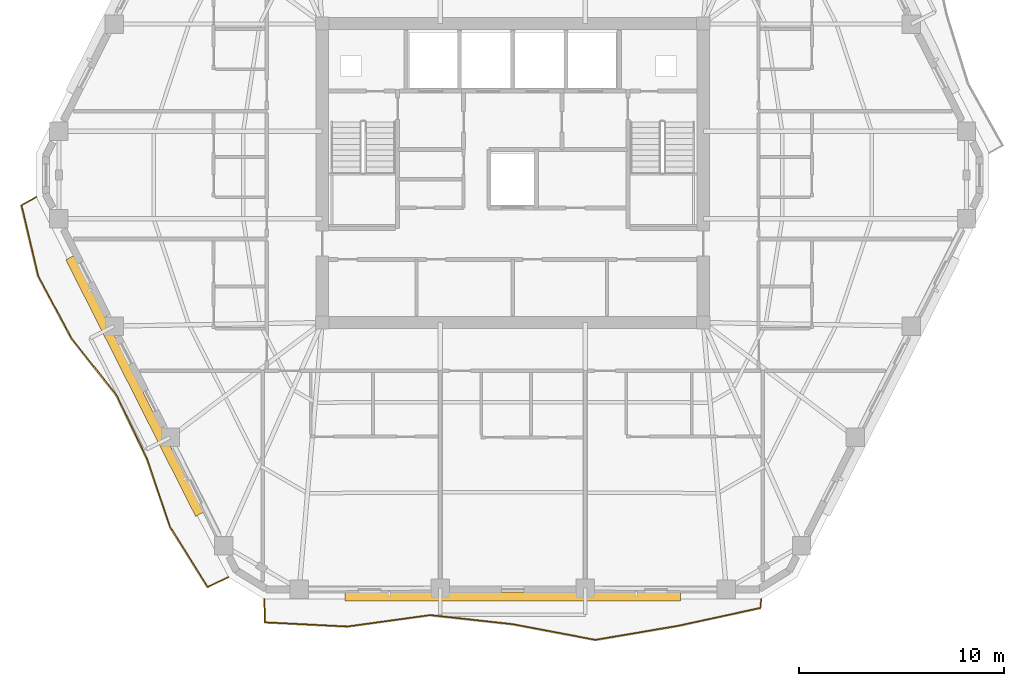
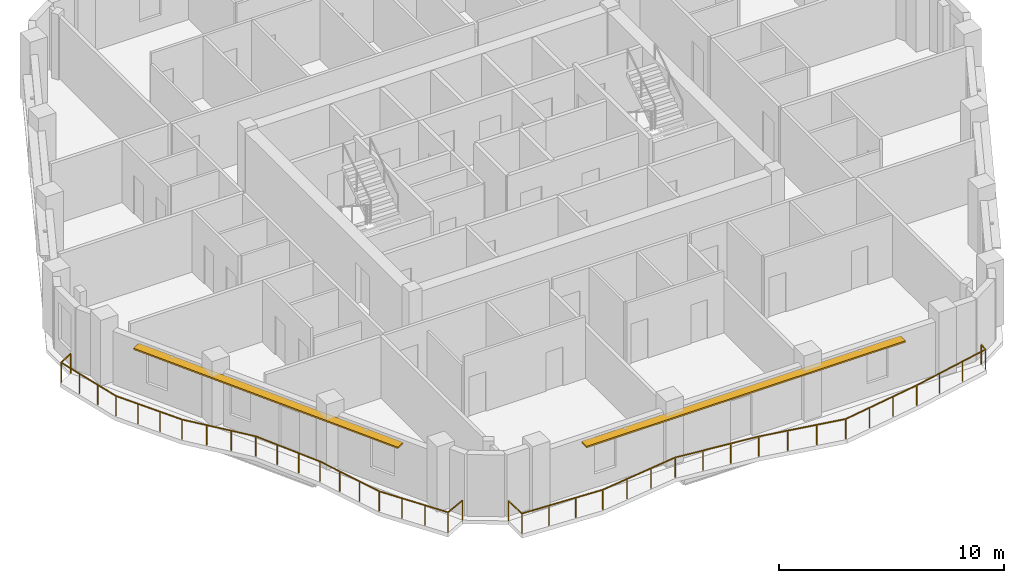
# One storey, part 9 of 11: 2 railings, 2 shading devices.
"""IFC4 building model written with IfcOpenShell, lengths in metres."""

import ifcopenshell
import ifcopenshell.guid

model = None  # the IFC model being written
_history = None  # IfcOwnerHistory: only IFC2X3 demands one
_inside = {}  # id of a spatial element -> (the spatial element, [elements in it])
_under = {}  # id of a project, library or spatial element -> (it, [spatial elements below it])
_declared = {}  # id of a project -> (the project, [libraries it declares])
_typed = {}  # id of a type object -> (the type object, [elements of that type])
_made_of = {}  # id of a material, layer set ... -> (it, [elements and type objects made of it])


def new_model(schema):
    """Start an empty IFC model of exactly this schema.

    Asked for "IFC4X3", IfcOpenShell would pick the latest addendum, in which some entities
    have other attributes; the version numbers below select the first issue.
    IFC2X3 requires an IfcOwnerHistory on every rooted entity: one is made here for all.
    """
    global model, _history
    if schema == "IFC4X3":
        model = ifcopenshell.file(schema_version=(4, 3, 0, 0))
    else:
        model = ifcopenshell.file(schema=schema)
    _inside.clear()
    _under.clear()
    _declared.clear()
    _typed.clear()
    _made_of.clear()
    _history = None
    if model.schema == "IFC2X3":
        org = make("IfcOrganization", Name="unknown")
        user = make(
            "IfcPersonAndOrganization",
            ThePerson=make("IfcPerson", FamilyName="unknown"),
            TheOrganization=org,
        )
        app = make(
            "IfcApplication",
            ApplicationDeveloper=org,
            Version="unknown",
            ApplicationFullName="unknown",
            ApplicationIdentifier="unknown",
        )
        _history = make(
            "IfcOwnerHistory",
            OwningUser=user,
            OwningApplication=app,
            ChangeAction="ADDED",
            CreationDate=0,
        )
    return model


def make(cls, **values):
    """One entity of the class cls with the attributes given. An attribute that is None is left unset."""
    return model.create_entity(
        cls, **{name: value for name, value in values.items() if value is not None}
    )


def rooted(cls, **values):
    """An entity with a GlobalId (a new one), such as an element, a storey or a relation."""
    return make(cls, GlobalId=ifcopenshell.guid.new(), OwnerHistory=_history, **values)


def si_unit(unit_type, name, prefix=None):
    """IfcSIUnit, for example si_unit("LENGTHUNIT", "METRE", prefix="MILLI")."""
    return make("IfcSIUnit", UnitType=unit_type, Prefix=prefix, Name=name)


def assignment(units):
    """IfcUnitAssignment: the units of a project."""
    return None if units is None else make("IfcUnitAssignment", Units=units)


def point(xyz):
    """IfcCartesianPoint."""
    return None if xyz is None else make("IfcCartesianPoint", Coordinates=xyz)


def direction(xyz):
    """IfcDirection."""
    return None if xyz is None else make("IfcDirection", DirectionRatios=xyz)


def frame(location, z_axis=None, x_axis=None):
    """IfcAxis2Placement3D, a coordinate frame: its origin and axes. An axis left out is left unset."""
    return make(
        "IfcAxis2Placement3D",
        Location=point(location),
        Axis=direction(z_axis),
        RefDirection=direction(x_axis),
    )


def frame_2d(location, x_axis=None):
    """IfcAxis2Placement2D, a coordinate frame in the plane: its origin and x axis."""
    return make(
        "IfcAxis2Placement2D", Location=point(location), RefDirection=direction(x_axis)
    )


def origin():
    """The frame at (0, 0, 0) with its axes left unset."""
    return frame((0.0, 0.0, 0.0))


def origin_2d():
    """The frame at (0, 0) in the plane with its x axis left unset."""
    return frame_2d((0.0, 0.0))


def place(relative_to, where):
    """IfcLocalPlacement: puts the frame where relative to a parent placement (None: the world)."""
    return make(
        "IfcLocalPlacement", PlacementRelTo=relative_to, RelativePlacement=where
    )


def context(
    kind, dimensions, precision=None, world=None, true_north=None, identifier=None
):
    """IfcGeometricRepresentationContext, for example the 3D "Model" context."""
    return make(
        "IfcGeometricRepresentationContext",
        ContextIdentifier=identifier,
        ContextType=kind,
        CoordinateSpaceDimension=dimensions,
        Precision=precision,
        WorldCoordinateSystem=world,
        TrueNorth=true_north,
    )


def subcontext(parent, identifier, kind, view, scale=None):
    """IfcGeometricRepresentationSubContext, for example "Body" below "Model"."""
    return make(
        "IfcGeometricRepresentationSubContext",
        ContextIdentifier=identifier,
        ContextType=kind,
        ParentContext=parent,
        TargetScale=scale,
        TargetView=view,
    )


def project(units=None, contexts=None):
    """IfcProject with its units and contexts."""
    return rooted(
        "IfcProject",
        Name="project",
        RepresentationContexts=contexts,
        UnitsInContext=assignment(units),
    )


def spatial(cls, under=None, at=None, **own):
    """A site, building, storey or space (cls), placed at a placement, below another one or the project."""
    s = rooted(cls, ObjectPlacement=at, **own)
    if under is not None:
        _under.setdefault(under.id(), (under, []))[1].append(s)
    return s


def profile(cls, at=None, kind="AREA", **sizes):
    """A parametric profile (cls). Its sizes go by their IFC names, for example OverallWidth=200.0."""
    return make(cls, ProfileType=kind, Position=at, **sizes)


def rectangle(**sizes):
    """IfcRectangleProfileDef."""
    return profile("IfcRectangleProfileDef", **sizes)


def extrude(swept, where, along, depth):
    """IfcExtrudedAreaSolid: the profile swept, set in the frame where, extruded along a direction by depth."""
    return make(
        "IfcExtrudedAreaSolid",
        SweptArea=swept,
        Position=where,
        ExtrudedDirection=direction(along),
        Depth=depth,
    )


def shape(context_of_items, identifier, shape_type, items):
    """IfcShapeRepresentation: the items that make up one representation, for example the "Body"."""
    return make(
        "IfcShapeRepresentation",
        ContextOfItems=context_of_items,
        RepresentationIdentifier=identifier,
        RepresentationType=shape_type,
        Items=items,
    )


def material(Name=None, Category=None):
    """IfcMaterial."""
    return make("IfcMaterial", Name=Name, Category=Category)


def layer(
    of_material, thickness, ventilated=None, Name=None, Category=None, Priority=None
):
    """IfcMaterialLayer: one layer of a wall or slab, of a material (None: an air gap)."""
    return make(
        "IfcMaterialLayer",
        Material=of_material,
        LayerThickness=thickness,
        IsVentilated=ventilated,
        Name=Name,
        Category=Category,
        Priority=Priority,
    )


def layer_set(layers, Name=None):
    """IfcMaterialLayerSet."""
    return make("IfcMaterialLayerSet", MaterialLayers=layers, LayerSetName=Name)


def made_of(thing, what):
    """Note that an element or type object is made of a material, layer set ...; save() writes the relation."""
    if what is not None:
        _made_of.setdefault(what.id(), (what, []))[1].append(thing)
    return thing


def type_object(cls, material=None, **own):
    """A type object (cls), such as IfcWallType, which elements share."""
    return made_of(rooted(cls, **own), material)


def element(
    cls,
    number,
    at=None,
    inside=None,
    cuts=None,
    type_object=None,
    material=None,
    context=None,
    identifier="Body",
    shape_type=None,
    held_by="IfcProductDefinitionShape",
    body=None,
    shapes=None,
    **own,
):
    """One element of the class cls, such as IfcWall. Its Tag is "e" and its number.

    at: its placement. inside: the storey or other place that contains it. cuts: it is an
    opening in that element (IfcRelVoidsElement). A single representation is given by context,
    identifier, shape_type and body (its items); several are given by shapes. held_by: the class
    of the entity that holds the representations. save() writes the other relations.
    """
    e = rooted(cls, Tag="e%d" % number, ObjectPlacement=at, **own)
    if body is not None:
        shapes = [shape(context, identifier, shape_type, body)]
    if shapes is not None:
        e.Representation = make(held_by, Representations=shapes)
    if inside is not None:
        _inside.setdefault(inside.id(), (inside, []))[1].append(e)
    if cuts is not None:
        rooted(
            "IfcRelVoidsElement", RelatingBuildingElement=cuts, RelatedOpeningElement=e
        )
    if type_object is not None:
        _typed.setdefault(type_object.id(), (type_object, []))[1].append(e)
    return made_of(e, material)


def aggregate(whole, parts):
    """IfcRelAggregates: a whole, such as a stair, and the parts it consists of."""
    return rooted("IfcRelAggregates", RelatingObject=whole, RelatedObjects=parts)


def save(model, path):
    """Write the relations noted so far, then the file.

    IfcRelAggregates (storeys below a building ...), IfcRelContainedInSpatialStructure (elements
    in a storey), IfcRelDefinesByType, IfcRelAssociatesMaterial and IfcRelDeclares: one each for
    every whole, place, type object, material and project.
    """
    for whole, parts in _under.values():
        aggregate(whole, parts)
    for where, things in _inside.values():
        rooted(
            "IfcRelContainedInSpatialStructure",
            RelatedElements=things,
            RelatingStructure=where,
        )
    for kind, things in _typed.values():
        rooted("IfcRelDefinesByType", RelatedObjects=things, RelatingType=kind)
    for what, things in _made_of.values():
        rooted("IfcRelAssociatesMaterial", RelatedObjects=things, RelatingMaterial=what)
    for by, libraries in _declared.values():
        rooted("IfcRelDeclares", RelatingContext=by, RelatedDefinitions=libraries)
    model.write(path)


model = new_model("IFC4")

# Units and contexts
model_context = context("Model", 3, precision=1e-05, world=origin(), true_north=direction((0.0, 1.0)))
body_context = subcontext(model_context, "Body", "Model", "MODEL_VIEW")
ifc_project = project(units=[si_unit("LENGTHUNIT", "METRE"), si_unit("AREAUNIT", "SQUARE_METRE"), si_unit("VOLUMEUNIT", "CUBIC_METRE"), si_unit("PLANEANGLEUNIT", "RADIAN"), si_unit("MASSUNIT", "GRAM", prefix="KILO")], contexts=[model_context])

# Site, building, storey
site_placement = place(None, origin())
site = spatial("IfcSite", under=ifc_project, at=site_placement, CompositionType="ELEMENT")
building_placement = place(site_placement, origin())
building = spatial("IfcBuilding", under=site, at=building_placement, Name="Cinnabar Lancet Tower", CompositionType="ELEMENT")
storey_placement = place(building_placement, frame((0.0, 0.0, 200.300048828125)))
storey = spatial("IfcBuildingStorey", under=building, at=storey_placement, Name="L53", CompositionType="ELEMENT", Elevation=200.300048828125)

# Railings
ifc_material_1 = material(Name="Laminated safety glass and bronze stainless steel balustrade", Category="steel")
railing_type = type_object("IfcRailingType", Name="ENV-RLG-BAL-1100", PredefinedType="BALUSTRADE", material=ifc_material_1)
railing_1_placement = place(storey_placement, frame((20.27197265625, 5.10009765625, 0.0)))
element("IfcRailing", 1, at=railing_1_placement, inside=storey, type_object=railing_type, Name="L53 Face 1 Wave Balcony Balustrade", PredefinedType="BALUSTRADE", context=body_context, shape_type="SweptSolid", body=[
    extrude(rectangle(XDim=0.048095703125, YDim=0.048095703125, at=origin_2d()), frame((0.0, 0.0, 1.076171875), z_axis=(0.029988664624, -0.999550238855, 0.0), x_axis=(0.999550238855, 0.029988664624, 0.0)), (0.0, 0.0, 1.0), 1.131591796875),
    extrude(rectangle(XDim=0.048095703125, YDim=0.048095703125, at=origin_2d()), frame((0.033935546875, -1.131103515625, 1.076171875), z_axis=(0.998722004536, -0.050540653498, 0.0), x_axis=(0.050540653498, 0.998722004536, 0.0)), (0.0, 0.0, 1.0), 4.038330078125),
    extrude(rectangle(XDim=0.048095703125, YDim=0.048095703125, at=origin_2d()), frame((4.067138671875, -1.335205078125, 1.076171875), z_axis=(0.990550995266, 0.137144907951, 0.0), x_axis=(-0.137144907951, 0.990550995266, 0.0)), (0.0, 0.0, 1.0), 4.069580078125),
    extrude(rectangle(XDim=0.048095703125, YDim=0.048095703125, at=origin_2d()), frame((8.09814453125, -0.777099609375, 1.076171875), z_axis=(0.993982475946, -0.109539205364, 0.0), x_axis=(0.109539205364, 0.993982475946, 0.0)), (0.0, 0.0, 1.0), 4.05419921875),
    extrude(rectangle(XDim=0.048095703125, YDim=0.048095703125, at=origin_2d()), frame((12.1279296875, -1.22119140625, 1.076171875), z_axis=(0.982512622414, -0.186195990281, 0.0), x_axis=(0.186195990281, 0.982512622414, 0.0)), (0.0, 0.0, 1.0), 4.102783203125),
    extrude(rectangle(XDim=0.048095703125, YDim=0.048095703125, at=origin_2d()), frame((16.158935546875, -1.985107421875, 1.076171875), z_axis=(0.985936556054, 0.167120039004, 0.0), x_axis=(-0.167120039004, 0.985936556054, 0.0)), (0.0, 0.0, 1.0), 4.08740234375),
    extrude(rectangle(XDim=0.048095703125, YDim=0.048095703125, at=origin_2d()), frame((20.18896484375, -1.302001953125, 1.076171875), z_axis=(0.977203591488, 0.212304358841, 0.0), x_axis=(-0.212304358841, 0.977203591488, 0.0)), (0.0, 0.0, 1.0), 4.1259765625),
    extrude(rectangle(XDim=0.048095703125, YDim=0.048095703125, at=origin_2d()), frame((24.220947265625, -0.426025390625, 1.076171875), z_axis=(0.082241939656, 0.996612393743, 0.0), x_axis=(-0.996612393743, 0.082241939656, 0.0)), (0.0, 0.0, 1.0), 0.427490234375),
    extrude(rectangle(XDim=0.0419921875, YDim=0.0419921875, at=origin_2d()), origin(), (0.0, 0.0, 1.0), 1.052001953125),
    extrude(rectangle(XDim=0.0419921875, YDim=0.0419921875, at=origin_2d()), frame((0.033935546875, -1.131103515625, 0.0)), (0.0, 0.0, 1.0), 1.052001953125),
    extrude(rectangle(XDim=0.0419921875, YDim=0.0419921875, at=origin_2d()), frame((1.37841796875, -1.19921875, 0.0)), (0.0, 0.0, 1.0), 1.052001953125),
    extrude(rectangle(XDim=0.0419921875, YDim=0.0419921875, at=origin_2d()), frame((2.72265625, -1.26708984375, 0.0)), (0.0, 0.0, 1.0), 1.052001953125),
    extrude(rectangle(XDim=0.0419921875, YDim=0.0419921875, at=origin_2d()), frame((4.067138671875, -1.335205078125, 0.0)), (0.0, 0.0, 1.0), 1.052001953125),
    extrude(rectangle(XDim=0.0419921875, YDim=0.0419921875, at=origin_2d()), frame((5.410888671875, -1.149169921875, 0.0)), (0.0, 0.0, 1.0), 1.052001953125),
    extrude(rectangle(XDim=0.0419921875, YDim=0.0419921875, at=origin_2d()), frame((6.75439453125, -0.963134765625, 0.0)), (0.0, 0.0, 1.0), 1.052001953125),
    extrude(rectangle(XDim=0.0419921875, YDim=0.0419921875, at=origin_2d()), frame((8.09814453125, -0.777099609375, 0.0)), (0.0, 0.0, 1.0), 1.052001953125),
    extrude(rectangle(XDim=0.0419921875, YDim=0.0419921875, at=origin_2d()), frame((9.44140625, -0.925048828125, 0.0)), (0.0, 0.0, 1.0), 1.052001953125),
    extrude(rectangle(XDim=0.0419921875, YDim=0.0419921875, at=origin_2d()), frame((10.78466796875, -1.0732421875, 0.0)), (0.0, 0.0, 1.0), 1.052001953125),
    extrude(rectangle(XDim=0.0419921875, YDim=0.0419921875, at=origin_2d()), frame((12.1279296875, -1.22119140625, 0.0)), (0.0, 0.0, 1.0), 1.052001953125),
    extrude(rectangle(XDim=0.0419921875, YDim=0.0419921875, at=origin_2d()), frame((13.4716796875, -1.475830078125, 0.0)), (0.0, 0.0, 1.0), 1.052001953125),
    extrude(rectangle(XDim=0.0419921875, YDim=0.0419921875, at=origin_2d()), frame((14.815185546875, -1.73046875, 0.0)), (0.0, 0.0, 1.0), 1.052001953125),
    extrude(rectangle(XDim=0.0419921875, YDim=0.0419921875, at=origin_2d()), frame((16.158935546875, -1.985107421875, 0.0)), (0.0, 0.0, 1.0), 1.052001953125),
    extrude(rectangle(XDim=0.0419921875, YDim=0.0419921875, at=origin_2d()), frame((17.502197265625, -1.75732421875, 0.0)), (0.0, 0.0, 1.0), 1.052001953125),
    extrude(rectangle(XDim=0.0419921875, YDim=0.0419921875, at=origin_2d()), frame((18.845703125, -1.52978515625, 0.0)), (0.0, 0.0, 1.0), 1.052001953125),
    extrude(rectangle(XDim=0.0419921875, YDim=0.0419921875, at=origin_2d()), frame((20.18896484375, -1.302001953125, 0.0)), (0.0, 0.0, 1.0), 1.052001953125),
    extrude(rectangle(XDim=0.0419921875, YDim=0.0419921875, at=origin_2d()), frame((21.532958984375, -1.010009765625, 0.0)), (0.0, 0.0, 1.0), 1.052001953125),
    extrude(rectangle(XDim=0.0419921875, YDim=0.0419921875, at=origin_2d()), frame((22.876953125, -0.718017578125, 0.0)), (0.0, 0.0, 1.0), 1.052001953125),
    extrude(rectangle(XDim=0.0419921875, YDim=0.0419921875, at=origin_2d()), frame((24.220947265625, -0.426025390625, 0.0)), (0.0, 0.0, 1.0), 1.052001953125),
    extrude(rectangle(XDim=0.0419921875, YDim=0.0419921875, at=origin_2d()), frame((24.256103515625, 0.0, 0.0)), (0.0, 0.0, 1.0), 1.052001953125),
])
railing_2_placement = place(storey_placement, frame((9.14208984375, 24.72900390625, 0.0)))
element("IfcRailing", 2, at=railing_2_placement, inside=storey, type_object=railing_type, Name="L53 Face 6 Wave Balcony Balustrade", PredefinedType="BALUSTRADE", context=body_context, shape_type="SweptSolid", body=[
    extrude(rectangle(XDim=0.048095703125, YDim=0.048095703125, at=origin_2d()), frame((0.0, 0.0, 1.076171875), z_axis=(-0.876554004385, -0.481303518995, 0.0), x_axis=(0.481303518995, -0.876554004385, 0.0)), (0.0, 0.0, 1.0), 0.82275390625),
    extrude(rectangle(XDim=0.048095703125, YDim=0.048095703125, at=origin_2d()), frame((-0.72119140625, -0.39599609375, 1.076171875), z_axis=(0.229586685725, -0.973288217199, 0.0), x_axis=(0.973288217199, 0.229586685725, 0.0)), (0.0, 0.0, 1.0), 3.554931640625),
    extrude(rectangle(XDim=0.048095703125, YDim=0.048095703125, at=origin_2d()), frame((0.094970703125, -3.85595703125, 1.076171875), z_axis=(0.471643313311, -0.881789422146, 0.0), x_axis=(0.881789422146, 0.471643313311, 0.0)), (0.0, 0.0, 1.0), 3.457763671875),
    extrude(rectangle(XDim=0.048095703125, YDim=0.048095703125, at=origin_2d()), frame((1.725830078125, -6.905029296875, 1.076171875), z_axis=(0.620548633816, -0.784167962282, 0.0), x_axis=(0.784167962282, 0.620548633816, 0.0)), (0.0, 0.0, 1.0), 3.52587890625),
    extrude(rectangle(XDim=0.048095703125, YDim=0.048095703125, at=origin_2d()), frame((3.913818359375, -9.669921875, 1.076171875), z_axis=(0.432832098751, -0.901474555542, 0.0), x_axis=(0.901474555542, 0.432832098751, 0.0)), (0.0, 0.0, 1.0), 3.45654296875),
    extrude(rectangle(XDim=0.048095703125, YDim=0.048095703125, at=origin_2d()), frame((5.409912109375, -12.785888671875, 1.076171875), z_axis=(0.320313491381, -0.947311599865, 0.0), x_axis=(0.947311599865, 0.320313491381, 0.0)), (0.0, 0.0, 1.0), 3.4931640625),
    extrude(rectangle(XDim=0.048095703125, YDim=0.048095703125, at=origin_2d()), frame((6.52880859375, -16.094970703125, 1.076171875), z_axis=(0.52927168566, -0.848452404534, 0.0), x_axis=(0.848452404534, 0.52927168566, 0.0)), (0.0, 0.0, 1.0), 3.47119140625),
    extrude(rectangle(XDim=0.048095703125, YDim=0.048095703125, at=origin_2d()), frame((8.365966796875, -19.0400390625, 1.076171875), z_axis=(0.904475632568, 0.426525298301, 0.0), x_axis=(-0.426525298301, 0.904475632568, 0.0)), (0.0, 0.0, 1.0), 1.1298828125),
    extrude(rectangle(XDim=0.0419921875, YDim=0.0419921875, at=origin_2d()), origin(), (0.0, 0.0, 1.0), 1.052001953125),
    extrude(rectangle(XDim=0.0419921875, YDim=0.0419921875, at=origin_2d()), frame((-0.72119140625, -0.39599609375, 0.0)), (0.0, 0.0, 1.0), 1.052001953125),
    extrude(rectangle(XDim=0.0419921875, YDim=0.0419921875, at=origin_2d()), frame((-0.44921875, -1.54931640625, 0.0)), (0.0, 0.0, 1.0), 1.052001953125),
    extrude(rectangle(XDim=0.0419921875, YDim=0.0419921875, at=origin_2d()), frame((-0.177001953125, -2.70263671875, 0.0)), (0.0, 0.0, 1.0), 1.052001953125),
    extrude(rectangle(XDim=0.0419921875, YDim=0.0419921875, at=origin_2d()), frame((0.094970703125, -3.85595703125, 0.0)), (0.0, 0.0, 1.0), 1.052001953125),
    extrude(rectangle(XDim=0.0419921875, YDim=0.0419921875, at=origin_2d()), frame((0.638671875, -4.872314453125, 0.0)), (0.0, 0.0, 1.0), 1.052001953125),
    extrude(rectangle(XDim=0.0419921875, YDim=0.0419921875, at=origin_2d()), frame((1.18212890625, -5.888671875, 0.0)), (0.0, 0.0, 1.0), 1.052001953125),
    extrude(rectangle(XDim=0.0419921875, YDim=0.0419921875, at=origin_2d()), frame((1.725830078125, -6.905029296875, 0.0)), (0.0, 0.0, 1.0), 1.052001953125),
    extrude(rectangle(XDim=0.0419921875, YDim=0.0419921875, at=origin_2d()), frame((2.455078125, -7.82666015625, 0.0)), (0.0, 0.0, 1.0), 1.052001953125),
    extrude(rectangle(XDim=0.0419921875, YDim=0.0419921875, at=origin_2d()), frame((3.1845703125, -8.748291015625, 0.0)), (0.0, 0.0, 1.0), 1.052001953125),
    extrude(rectangle(XDim=0.0419921875, YDim=0.0419921875, at=origin_2d()), frame((3.913818359375, -9.669921875, 0.0)), (0.0, 0.0, 1.0), 1.052001953125),
    extrude(rectangle(XDim=0.0419921875, YDim=0.0419921875, at=origin_2d()), frame((4.41259765625, -10.70849609375, 0.0)), (0.0, 0.0, 1.0), 1.052001953125),
    extrude(rectangle(XDim=0.0419921875, YDim=0.0419921875, at=origin_2d()), frame((4.9111328125, -11.747314453125, 0.0)), (0.0, 0.0, 1.0), 1.052001953125),
    extrude(rectangle(XDim=0.0419921875, YDim=0.0419921875, at=origin_2d()), frame((5.409912109375, -12.785888671875, 0.0)), (0.0, 0.0, 1.0), 1.052001953125),
    extrude(rectangle(XDim=0.0419921875, YDim=0.0419921875, at=origin_2d()), frame((5.782958984375, -13.888916015625, 0.0)), (0.0, 0.0, 1.0), 1.052001953125),
    extrude(rectangle(XDim=0.0419921875, YDim=0.0419921875, at=origin_2d()), frame((6.15576171875, -14.991943359375, 0.0)), (0.0, 0.0, 1.0), 1.052001953125),
    extrude(rectangle(XDim=0.0419921875, YDim=0.0419921875, at=origin_2d()), frame((6.52880859375, -16.094970703125, 0.0)), (0.0, 0.0, 1.0), 1.052001953125),
    extrude(rectangle(XDim=0.0419921875, YDim=0.0419921875, at=origin_2d()), frame((7.14111328125, -17.07666015625, 0.0)), (0.0, 0.0, 1.0), 1.052001953125),
    extrude(rectangle(XDim=0.0419921875, YDim=0.0419921875, at=origin_2d()), frame((7.753662109375, -18.058349609375, 0.0)), (0.0, 0.0, 1.0), 1.052001953125),
    extrude(rectangle(XDim=0.0419921875, YDim=0.0419921875, at=origin_2d()), frame((8.365966796875, -19.0400390625, 0.0)), (0.0, 0.0, 1.0), 1.052001953125),
    extrude(rectangle(XDim=0.0419921875, YDim=0.0419921875, at=origin_2d()), frame((9.387939453125, -18.55810546875, 0.0)), (0.0, 0.0, 1.0), 1.052001953125),
])

# Shading devices
ifc_material_2 = material(Name="Pale limestone architectural aluminium sunshade", Category="masonry")
ifc_layer = layer(ifc_material_2, 0.080078125)
ifc_layer_set = layer_set([ifc_layer], Name="Pale limestone architectural aluminium sunshade")
shading_device_type = type_object("IfcShadingDeviceType", Name="ENV-SHD-LVR-450", PredefinedType="JALOUSIE", material=ifc_layer_set)
shading_device_1_placement = place(storey_placement, frame((32.39990234375, 5.22998046875, 2.639892578125), z_axis=(0.0, 0.0, 1.0), x_axis=(1.0, 0.0, 0.0)))
element("IfcShadingDevice", 3, at=shading_device_1_placement, inside=storey, type_object=shading_device_type, Name="L53 Face 1 Horizontal Sunshade Canopy", PredefinedType="JALOUSIE", context=body_context, shape_type="SweptSolid", body=[
    extrude(rectangle(XDim=16.3720703125, YDim=0.449951171875, at=origin_2d()), origin(), (0.0, 0.0, 1.0), 0.080078125),
])
shading_device_2_placement = place(storey_placement, frame((13.9541015625, 15.506103515625, 2.639892578125), z_axis=(0.0, 0.0, 1.0), x_axis=(0.45140713236, -0.892318105193, 0.0)))
element("IfcShadingDevice", 4, at=shading_device_2_placement, inside=storey, type_object=shading_device_type, Name="L53 Face 6 Horizontal Sunshade Canopy", PredefinedType="JALOUSIE", context=body_context, shape_type="SweptSolid", body=[
    extrude(rectangle(XDim=14.034912109375, YDim=0.449951171875, at=origin_2d()), origin(), (0.0, 0.0, 1.0), 0.080078125),
])

save(model, "model.ifc")
